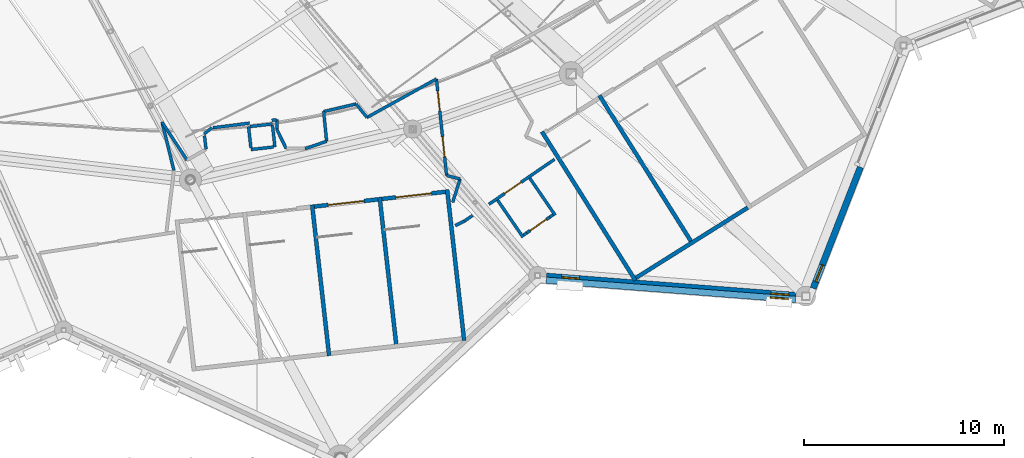
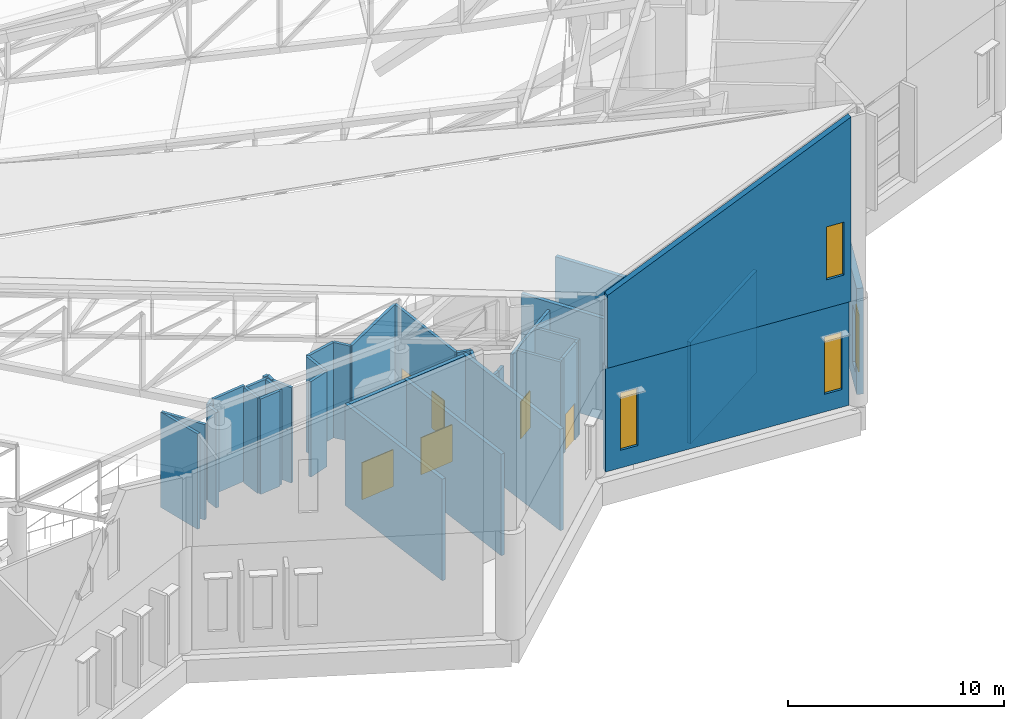
# One storey, part 254 of 344: 39 walls, 6 doors, 4 windows, 10 openings.
"""IFC4 building model written with IfcOpenShell, lengths in metres."""

from ifc_helpers import new_model, si_unit, direction, frame, frame_2d, origin, place, context, subcontext, project, spatial, polyline, rectangle, outline, extrude, material, layer, layer_set, type_object, element, fill, save


model = new_model("IFC4")

# Units and contexts
model_context = context("Model", 3, precision=1e-05, world=origin(), true_north=direction((0.0, 1.0)))
body_context = subcontext(model_context, "Body", "Model", "MODEL_VIEW")
ifc_project = project(units=[si_unit("LENGTHUNIT", "METRE"), si_unit("AREAUNIT", "SQUARE_METRE"), si_unit("VOLUMEUNIT", "CUBIC_METRE"), si_unit("PLANEANGLEUNIT", "RADIAN"), si_unit("MASSUNIT", "GRAM", prefix="KILO")], contexts=[model_context])

# Site, building, storey
site_placement = place(None, origin())
site = spatial("IfcSite", under=ifc_project, at=site_placement, CompositionType="ELEMENT")
building_placement = place(site_placement, origin())
building = spatial("IfcBuilding", under=site, at=building_placement, Name="Meseta Stadium", CompositionType="ELEMENT")
storey_placement = place(building_placement, frame((0.0, 0.0, 24.0)))
storey = spatial("IfcBuildingStorey", under=building, at=storey_placement, Name="L04", CompositionType="ELEMENT", Elevation=24.0)

# Walls
ifc_material_1 = material(Name="Concrete C40/50", Category="concrete")
ifc_layer_1 = layer(ifc_material_1, 0.199951171875)
ifc_layer_set_1 = layer_set([ifc_layer_1], Name="Core divider wall 200")
wall_type_1 = type_object("IfcWallType", Name="Core divider wall 200", PredefinedType="SHEAR", material=ifc_layer_set_1)
wall_1_placement = place(storey_placement, frame((54.999267578125, -99.503662109375, 0.0), z_axis=(0.0, 0.0, 1.0), x_axis=(-0.111982724367, 0.993710153638, 0.0)))
element("IfcWall", 1, at=wall_1_placement, inside=storey, type_object=wall_type_1, Name="Core 26 L04 stair B divider wall", PredefinedType="SHEAR", context=body_context, shape_type="SweptSolid", body=[
    extrude(rectangle(XDim=7.60009765625, YDim=0.199951171875, at=frame_2d((3.800048828125, 0.0))), origin(), (0.0, 0.0, 1.0), 5.75),
])
wall_2_placement = place(storey_placement, frame((69.8291015625, -94.314453125, 0.0), z_axis=(0.0, 0.0, 1.0), x_axis=(-0.532032334759, 0.846724036963, 0.0)))
element("IfcWall", 2, at=wall_2_placement, inside=storey, type_object=wall_type_1, Name="Core 27 L04 stair A divider wall", PredefinedType="SHEAR", context=body_context, shape_type="SweptSolid", body=[
    extrude(rectangle(XDim=8.800048828125, YDim=0.199951171875, at=frame_2d((4.39990234375, 0.0))), origin(), (0.0, 0.0, 1.0), 5.75),
])
ifc_material_2 = material(Name="Concrete C40/50", Category="concrete")
ifc_layer_2 = layer(ifc_material_2, 0.199951171875)
ifc_layer_set_2 = layer_set([ifc_layer_2], Name="Core shaft wall 200")
wall_type_2 = type_object("IfcWallType", Name="Core shaft wall 200", PredefinedType="SHEAR", material=ifc_layer_set_2)
wall_3_placement = place(storey_placement, frame((51.62060546875, -99.884521484375, 0.0), z_axis=(0.0, 0.0, 1.0), x_axis=(-0.111947429915, 0.993714130389, 0.0)))
element("IfcWall", 3, at=wall_3_placement, inside=storey, type_object=wall_type_2, Name="Core 26 L04 stair wall shared", PredefinedType="SHEAR", context=body_context, shape_type="SweptSolid", body=[
    extrude(rectangle(XDim=7.600341796875, YDim=0.199951171875, at=frame_2d((3.80029296875, 0.0))), origin(), (0.0, 0.0, 1.0), 5.75),
])
wall_4_placement = place(storey_placement, frame((58.3779296875, -99.123046875, 0.0), z_axis=(0.0, 0.0, 1.0), x_axis=(-0.111982724367, 0.993710153638, 0.0)))
element("IfcWall", 4, at=wall_4_placement, inside=storey, type_object=wall_type_2, Name="Core 26 L04 stair wall B-side", PredefinedType="SHEAR", context=body_context, shape_type="SweptSolid", body=[
    extrude(rectangle(XDim=7.60009765625, YDim=0.199951171875, at=frame_2d((3.800048828125, 0.0))), origin(), (0.0, 0.0, 1.0), 5.75),
])

# Wall, opening, door
wall_5_placement = place(storey_placement, frame((50.88037109375, -92.42041015625, 0.0), z_axis=(0.0, 0.0, 1.0), x_axis=(0.993707560215, 0.112005735442, 0.0)))
wall_5 = element("IfcWall", 5, at=wall_5_placement, inside=storey, type_object=wall_type_2, Name="Core 26 L04 stair B1 inner end wall", PredefinedType="SHEAR", context=body_context, shape_type="SweptSolid", body=[
    extrude(rectangle(XDim=3.19970703125, YDim=0.199951171875, at=frame_2d((1.599853515625, 0.0))), origin(), (0.0, 0.0, 1.0), 5.75),
])
opening_1_placement = place(wall_5_placement, frame((0.699951171875, 0.0, 0.0)))
opening_1 = element("IfcOpeningElement", 6, at=opening_1_placement, cuts=wall_5, Name="Opening D1610", PredefinedType="OPENING", context=body_context, shape_type="SweptSolid", body=[
    extrude(rectangle(XDim=1.800048828125, YDim=2.10009765625, at=frame_2d((0.89990234375, 1.050048828125))), frame((0.0, 0.10986328125, 0.0), z_axis=(0.0, -1.0, 0.0), x_axis=(1.0, 0.0, 0.0)), (0.0, 0.0, 1.0), 0.219970703125),
])
ifc_material_3 = material(Name="Steel", Category="steel")
door_type_1 = type_object("IfcDoorType", Name="Stair door 1800x2100", OperationType="DOUBLE_DOOR_SINGLE_SWING", PredefinedType="DOOR", material=ifc_material_3)
door_1_placement = place(opening_1_placement, origin())
door_1 = element("IfcDoor", 7, at=door_1_placement, inside=storey, type_object=door_type_1, Name="Stair B1 door 26 L04", OperationType="DOUBLE_DOOR_SINGLE_SWING", OverallHeight=2.10009765625, OverallWidth=1.800048828125, PredefinedType="DOOR", context=body_context, shape_type="SweptSolid", body=[
    extrude(rectangle(XDim=1.800048828125, YDim=2.10009765625, at=frame_2d((0.89990234375, 1.050048828125))), frame((0.0, 0.02490234375, 0.0), z_axis=(0.0, -1.0, 0.0), x_axis=(1.0, 0.0, 0.0)), (0.0, 0.0, 1.0), 0.050048828125),
])
fill(opening_1, door_1)

wall_6_placement = place(storey_placement, frame((54.2587890625, -92.03955078125, 0.0), z_axis=(0.0, 0.0, 1.0), x_axis=(0.993717005286, 0.11192190762, 0.0)))
wall_6 = element("IfcWall", 8, at=wall_6_placement, inside=storey, type_object=wall_type_2, Name="Core 26 L04 stair B2 inner end wall", PredefinedType="SHEAR", context=body_context, shape_type="SweptSolid", body=[
    extrude(rectangle(XDim=3.199951171875, YDim=0.199951171875, at=frame_2d((1.60009765625, 0.0))), origin(), (0.0, 0.0, 1.0), 5.75),
])
opening_2_placement = place(wall_6_placement, frame((0.699951171875, 0.0, 0.0)))
opening_2 = element("IfcOpeningElement", 9, at=opening_2_placement, cuts=wall_6, Name="Opening D1612", PredefinedType="OPENING", context=body_context, shape_type="SweptSolid", body=[
    extrude(rectangle(XDim=1.800048828125, YDim=2.10009765625, at=frame_2d((0.89990234375, 1.050048828125))), frame((0.0, 0.10986328125, 0.0), z_axis=(0.0, -1.0, 0.0), x_axis=(1.0, 0.0, 0.0)), (0.0, 0.0, 1.0), 0.219970703125),
])
door_2_placement = place(opening_2_placement, origin())
door_2 = element("IfcDoor", 10, at=door_2_placement, inside=storey, type_object=door_type_1, Name="Stair B2 door 26 L04", OperationType="DOUBLE_DOOR_SINGLE_SWING", OverallHeight=2.10009765625, OverallWidth=1.800048828125, PredefinedType="DOOR", context=body_context, shape_type="SweptSolid", body=[
    extrude(rectangle(XDim=1.800048828125, YDim=2.10009765625, at=frame_2d((0.89990234375, 1.050048828125))), frame((0.0, 0.02490234375, 0.0), z_axis=(0.0, -1.0, 0.0), x_axis=(1.0, 0.0, 0.0)), (0.0, 0.0, 1.0), 0.050048828125),
])
fill(opening_2, door_2)

# Walls
wall_7_placement = place(storey_placement, frame((66.9501953125, -96.123291015625, 0.0), z_axis=(0.0, 0.0, 1.0), x_axis=(-0.532032334759, 0.846724036963, 0.0)))
element("IfcWall", 11, at=wall_7_placement, inside=storey, type_object=wall_type_2, Name="Core 27 L04 stair wall A-side", PredefinedType="SHEAR", context=body_context, shape_type="SweptSolid", body=[
    extrude(rectangle(XDim=8.800048828125, YDim=0.199951171875, at=frame_2d((4.39990234375, 0.0))), origin(), (0.0, 0.0, 1.0), 5.75),
])
wall_8_placement = place(storey_placement, frame((66.981689453125, -95.985595703125, 0.0), z_axis=(0.0, 0.0, 1.0), x_axis=(0.846719870989, 0.532038964807, 0.0)))
element("IfcWall", 12, at=wall_8_placement, inside=storey, type_object=wall_type_2, Name="Core 27 L04 stair A outer end wall", PredefinedType="SHEAR", context=body_context, shape_type="SweptSolid", body=[
    extrude(rectangle(XDim=6.60009765625, YDim=0.199951171875, at=frame_2d((3.300048828125, 0.0))), origin(), (0.0, 0.0, 1.0), 5.75),
])
ifc_material_4 = material(Name="Masonry blockwork", Category="masonry")
ifc_layer_3 = layer(ifc_material_4, 0.14990234375)
ifc_layer_set_3 = layer_set([ifc_layer_3], Name="Partition 150")
wall_type_3 = type_object("IfcWallType", Name="Partition 150", PredefinedType="PARTITIONING", material=ifc_layer_set_3)
wall_9_placement = place(storey_placement, frame((57.931640625, -93.37646484375, 0.0), z_axis=(0.0, 0.0, 1.0), x_axis=(0.894331160602, 0.447405604767, 0.0)))
element("IfcWall", 13, at=wall_9_placement, inside=storey, type_object=wall_type_3, Name="Partition L04 L04-cell25-1-0", PredefinedType="PARTITIONING", context=body_context, shape_type="SweptSolid", body=[
    extrude(rectangle(XDim=0.508544921875, YDim=0.14990234375, at=frame_2d((0.25439453125, 0.0))), origin(), (0.0, 0.0, 1.0), 5.39990234375),
])
wall_10_placement = place(storey_placement, frame((58.386474609375, -93.14892578125, 0.0), z_axis=(0.0, 0.0, 1.0), x_axis=(0.825114578753, 0.564965425428, 0.0)))
element("IfcWall", 14, at=wall_10_placement, inside=storey, type_object=wall_type_3, Name="Partition L04 L04-cell25-1-0", PredefinedType="PARTITIONING", context=body_context, shape_type="SweptSolid", body=[
    extrude(rectangle(XDim=0.497314453125, YDim=0.14990234375, at=frame_2d((0.24853515625, 0.0))), origin(), (0.0, 0.0, 1.0), 5.39990234375),
])

# Wall, opening, door
wall_11_placement = place(storey_placement, frame((59.617919921875, -92.3056640625, 0.0), z_axis=(0.0, 0.0, 1.0), x_axis=(0.825155279728, 0.564905978316, 0.0)))
wall_11 = element("IfcWall", 15, at=wall_11_placement, inside=storey, type_object=wall_type_3, Name="Partition L04 L04-cell25-1-0", PredefinedType="PARTITIONING", context=body_context, shape_type="SweptSolid", body=[
    extrude(rectangle(XDim=3.98046875, YDim=0.14990234375, at=frame_2d((1.990234375, 0.0))), origin(), (0.0, 0.0, 1.0), 5.39990234375),
])
opening_3_placement = place(wall_11_placement, frame((0.949951171875, 0.0, 0.0)))
opening_3 = element("IfcOpeningElement", 16, at=opening_3_placement, cuts=wall_11, Name="Opening D1617", PredefinedType="OPENING", context=body_context, shape_type="SweptSolid", body=[
    extrude(rectangle(XDim=1.0, YDim=2.10009765625, at=frame_2d((0.5, 1.050048828125))), frame((0.0, 0.0849609375, 0.0), z_axis=(0.0, -1.0, 0.0), x_axis=(1.0, 0.0, 0.0)), (0.0, 0.0, 1.0), 0.169921875),
])
ifc_material_5 = material(Name="Steel", Category="steel")
door_type_2 = type_object("IfcDoorType", Name="Fire door 1000x2100 EI2 60", OperationType="NOTDEFINED", PredefinedType="DOOR", material=ifc_material_5)
door_3_placement = place(opening_3_placement, origin())
door_3 = element("IfcDoor", 17, at=door_3_placement, inside=storey, type_object=door_type_2, Name="Room door L04 L04-cell25-1-0", OperationType="SINGLE_SWING_LEFT", OverallHeight=2.10009765625, OverallWidth=1.0, PredefinedType="DOOR", context=body_context, shape_type="SweptSolid", body=[
    extrude(rectangle(XDim=1.0, YDim=2.10009765625, at=frame_2d((0.5, 1.050048828125))), frame((0.0, 0.02490234375, 0.0), z_axis=(0.0, -1.0, 0.0), x_axis=(1.0, 0.0, 0.0)), (0.0, 0.0, 1.0), 0.050048828125),
])
fill(opening_3, door_3)

# Walls
wall_12_placement = place(storey_placement, frame((47.7158203125, -89.566650390625, 0.0), z_axis=(0.0, 0.0, 1.0), x_axis=(0.993710504932, 0.11197960702, 0.0)))
element("IfcWall", 18, at=wall_12_placement, inside=storey, type_object=wall_type_3, Name="Pressurisation shaft wall L04 core 26", PredefinedType="PARTITIONING", context=body_context, shape_type="SweptSolid", body=[
    extrude(rectangle(XDim=1.125, YDim=0.14990234375, at=frame_2d((0.5625, 0.0))), origin(), (0.0, 0.0, 1.0), 5.39990234375),
])
wall_13_placement = place(storey_placement, frame((48.908203125, -89.432373046875, 0.0), z_axis=(0.0, 0.0, 1.0), x_axis=(-0.111951742856, 0.993713644503, 0.0)))
element("IfcWall", 19, at=wall_13_placement, inside=storey, type_object=wall_type_3, Name="Pressurisation shaft wall L04 core 26", PredefinedType="PARTITIONING", context=body_context, shape_type="SweptSolid", body=[
    extrude(rectangle(XDim=1.0751953125, YDim=0.14990234375, at=frame_2d((0.53759765625, 0.0))), origin(), (0.0, 0.0, 1.0), 5.39990234375),
])
wall_14_placement = place(storey_placement, frame((48.779541015625, -88.28955078125, 0.0), z_axis=(0.0, 0.0, 1.0), x_axis=(-0.993710504932, -0.11197960702, 0.0)))
element("IfcWall", 20, at=wall_14_placement, inside=storey, type_object=wall_type_3, Name="Pressurisation shaft wall L04 core 26", PredefinedType="PARTITIONING", context=body_context, shape_type="SweptSolid", body=[
    extrude(rectangle(XDim=1.125, YDim=0.14990234375, at=frame_2d((0.5625, 0.0))), origin(), (0.0, 0.0, 1.0), 5.39990234375),
])
wall_15_placement = place(storey_placement, frame((47.587158203125, -88.423828125, 0.0), z_axis=(0.0, 0.0, 1.0), x_axis=(0.111951742856, -0.993713644503, 0.0)))
element("IfcWall", 21, at=wall_15_placement, inside=storey, type_object=wall_type_3, Name="Pressurisation shaft wall L04 core 26", PredefinedType="PARTITIONING", context=body_context, shape_type="SweptSolid", body=[
    extrude(rectangle(XDim=1.0751953125, YDim=0.14990234375, at=frame_2d((0.53759765625, 0.0))), origin(), (0.0, 0.0, 1.0), 5.39990234375),
])
wall_16_placement = place(storey_placement, frame((57.802490234375, -92.21142578125, 0.0), z_axis=(0.0, 0.0, 1.0), x_axis=(0.302842740961, 0.953040541765, 0.0)))
element("IfcWall", 22, at=wall_16_placement, inside=storey, type_object=wall_type_3, Name="Stair vestibule wall L04 core 26", PredefinedType="PARTITIONING", context=body_context, shape_type="SweptSolid", body=[
    extrude(rectangle(XDim=1.228515625, YDim=0.14990234375, at=frame_2d((0.6142578125, 0.0))), origin(), (0.0, 0.0, 1.0), 5.39990234375),
])
wall_17_placement = place(storey_placement, frame((58.174560546875, -91.04052734375, 0.0), z_axis=(0.0, 0.0, 1.0), x_axis=(-0.968348224701, 0.249603116403, 0.0)))
element("IfcWall", 23, at=wall_17_placement, inside=storey, type_object=wall_type_3, Name="Stair vestibule wall L04 core 26", PredefinedType="PARTITIONING", context=body_context, shape_type="SweptSolid", body=[
    extrude(rectangle(XDim=0.698486328125, YDim=0.14990234375, at=frame_2d((0.34912109375, 0.0))), origin(), (0.0, 0.0, 1.0), 5.39990234375),
])

# Wall, openings, doors
wall_18_placement = place(storey_placement, frame((57.498291015625, -90.8662109375, 0.0), z_axis=(0.0, 0.0, 1.0), x_axis=(-0.104240004213, 0.994552171342, 0.0)))
wall_18 = element("IfcWall", 24, at=wall_18_placement, inside=storey, type_object=wall_type_3, Name="Stair vestibule wall L04 core 26", PredefinedType="PARTITIONING", context=body_context, shape_type="SweptSolid", body=[
    extrude(rectangle(XDim=4.857421875, YDim=0.14990234375, at=frame_2d((2.4287109375, 0.0))), origin(), (0.0, 0.0, 1.0), 5.39990234375),
])
opening_4_placement = place(wall_18_placement, frame((0.949951171875, 0.0, 0.0)))
opening_4 = element("IfcOpeningElement", 25, at=opening_4_placement, cuts=wall_18, Name="Opening D1614", PredefinedType="OPENING", context=body_context, shape_type="SweptSolid", body=[
    extrude(rectangle(XDim=1.0, YDim=2.10009765625, at=frame_2d((0.5, 1.050048828125))), frame((0.0, 0.0849609375, 0.0), z_axis=(0.0, -1.0, 0.0), x_axis=(1.0, 0.0, 0.0)), (0.0, 0.0, 1.0), 0.169921875),
])
opening_5_placement = place(wall_18_placement, frame((3.25, 0.0, 0.0)))
opening_5 = element("IfcOpeningElement", 26, at=opening_5_placement, cuts=wall_18, Name="Opening D1613", PredefinedType="OPENING", context=body_context, shape_type="SweptSolid", body=[
    extrude(rectangle(XDim=1.0, YDim=2.10009765625, at=frame_2d((0.5, 1.050048828125))), frame((0.0, 0.0849609375, 0.0), z_axis=(0.0, -1.0, 0.0), x_axis=(1.0, 0.0, 0.0)), (0.0, 0.0, 1.0), 0.169921875),
])
door_4_placement = place(opening_4_placement, origin())
door_4 = element("IfcDoor", 27, at=door_4_placement, inside=storey, type_object=door_type_2, Name="Stair vestibule door L04 core 26", OperationType="SINGLE_SWING_LEFT", OverallHeight=2.10009765625, OverallWidth=1.0, PredefinedType="DOOR", context=body_context, shape_type="SweptSolid", body=[
    extrude(rectangle(XDim=1.0, YDim=2.10009765625, at=frame_2d((0.5, 1.050048828125))), frame((0.0, 0.02490234375, 0.0), z_axis=(0.0, -1.0, 0.0), x_axis=(1.0, 0.0, 0.0)), (0.0, 0.0, 1.0), 0.050048828125),
])
fill(opening_4, door_4)
door_5_placement = place(opening_5_placement, origin())
door_5 = element("IfcDoor", 28, at=door_5_placement, inside=storey, type_object=door_type_2, Name="Stair vestibule door L04 core 26", OperationType="SINGLE_SWING_RIGHT", OverallHeight=2.10009765625, OverallWidth=1.0, PredefinedType="DOOR", context=body_context, shape_type="SweptSolid", body=[
    extrude(rectangle(XDim=1.0, YDim=2.10009765625, at=frame_2d((0.5, 1.050048828125))), frame((0.0, 0.02490234375, 0.0), z_axis=(0.0, -1.0, 0.0), x_axis=(1.0, 0.0, 0.0)), (0.0, 0.0, 1.0), 0.050048828125),
])
fill(opening_5, door_5)

# Walls
wall_19_placement = place(storey_placement, frame((56.991943359375, -86.03515625, 0.0), z_axis=(0.0, 0.0, 1.0), x_axis=(-0.8746956198, -0.484672644888, 0.0)))
element("IfcWall", 29, at=wall_19_placement, inside=storey, type_object=wall_type_3, Name="Stair vestibule wall L04 core 26", PredefinedType="PARTITIONING", context=body_context, shape_type="SweptSolid", body=[
    extrude(rectangle(XDim=3.974853515625, YDim=0.14990234375, at=frame_2d((1.9873046875, 0.0))), origin(), (0.0, 0.0, 1.0), 5.39990234375),
])
wall_20_placement = place(storey_placement, frame((53.51513671875, -87.961669921875, 0.0), z_axis=(0.0, 0.0, 1.0), x_axis=(-0.629036575288, 0.777375705145, 0.0)))
element("IfcWall", 30, at=wall_20_placement, inside=storey, type_object=wall_type_3, Name="Stair vestibule wall L04 core 26", PredefinedType="PARTITIONING", context=body_context, shape_type="SweptSolid", body=[
    extrude(rectangle(XDim=0.868896484375, YDim=0.14990234375, at=frame_2d((0.4345703125, 0.0))), origin(), (0.0, 0.0, 1.0), 5.39990234375),
])
wall_21_placement = place(storey_placement, frame((52.968505859375, -87.2861328125, 0.0), z_axis=(0.0, 0.0, 1.0), x_axis=(-0.973804405669, -0.227387289663, 0.0)))
element("IfcWall", 31, at=wall_21_placement, inside=storey, type_object=wall_type_3, Name="Stair vestibule wall L04 core 26", PredefinedType="PARTITIONING", context=body_context, shape_type="SweptSolid", body=[
    extrude(rectangle(XDim=1.664306640625, YDim=0.14990234375, at=frame_2d((0.83203125, 0.0))), origin(), (0.0, 0.0, 1.0), 5.39990234375),
])
wall_22_placement = place(storey_placement, frame((51.347900390625, -87.66455078125, 0.0), z_axis=(0.0, 0.0, 1.0), x_axis=(0.097663252184, -0.995219518083, 0.0)))
element("IfcWall", 32, at=wall_22_placement, inside=storey, type_object=wall_type_3, Name="Stair vestibule wall L04 core 26", PredefinedType="PARTITIONING", context=body_context, shape_type="SweptSolid", body=[
    extrude(rectangle(XDim=1.497314453125, YDim=0.14990234375, at=frame_2d((0.74853515625, 0.0))), origin(), (0.0, 0.0, 1.0), 5.39990234375),
])
wall_23_placement = place(storey_placement, frame((51.494140625, -89.15478515625, 0.0), z_axis=(0.0, 0.0, 1.0), x_axis=(-0.945382073176, -0.325964316633, 0.0)))
element("IfcWall", 33, at=wall_23_placement, inside=storey, type_object=wall_type_3, Name="Stair vestibule wall L04 core 26", PredefinedType="PARTITIONING", context=body_context, shape_type="SweptSolid", body=[
    extrude(rectangle(XDim=1.141357421875, YDim=0.14990234375, at=frame_2d((0.57080078125, 0.0))), origin(), (0.0, 0.0, 1.0), 5.39990234375),
])
wall_24_placement = place(storey_placement, frame((49.476806640625, -89.526611328125, 0.0), z_axis=(0.0, 0.0, 1.0), x_axis=(-0.439871081555, 0.898060928674, 0.0)))
element("IfcWall", 34, at=wall_24_placement, inside=storey, type_object=wall_type_3, Name="Stair vestibule wall L04 core 26", PredefinedType="PARTITIONING", context=body_context, shape_type="SweptSolid", body=[
    extrude(rectangle(XDim=1.106201171875, YDim=0.14990234375, at=frame_2d((0.55322265625, 0.0))), origin(), (0.0, 0.0, 1.0), 5.39990234375),
])
wall_25_placement = place(storey_placement, frame((49.004150390625, -88.540283203125, 0.0), z_axis=(0.0, 0.0, 1.0), x_axis=(0.0, 1.0, 0.0)))
element("IfcWall", 35, at=wall_25_placement, inside=storey, type_object=wall_type_3, Name="Stair vestibule wall L04 core 26", PredefinedType="PARTITIONING", context=body_context, shape_type="SweptSolid", body=[
    extrude(rectangle(XDim=0.466064453125, YDim=0.14990234375, at=frame_2d((0.23291015625, 0.0))), origin(), (0.0, 0.0, 1.0), 5.39990234375),
])
wall_26_placement = place(storey_placement, frame((49.004150390625, -88.07421875, 0.0), z_axis=(0.0, 0.0, 1.0), x_axis=(-0.99214406092, -0.125100609039, 0.0)))
element("IfcWall", 36, at=wall_26_placement, inside=storey, type_object=wall_type_3, Name="Stair vestibule wall L04 core 26", PredefinedType="PARTITIONING", context=body_context, shape_type="SweptSolid", body=[
    extrude(rectangle(XDim=0.253662109375, YDim=0.14990234375, at=frame_2d((0.126953125, 0.0))), origin(), (0.0, 0.0, 1.0), 5.39990234375),
])
wall_27_placement = place(storey_placement, frame((47.635986328125, -88.245849609375, 0.0), z_axis=(0.0, 0.0, 1.0), x_axis=(-0.99202979466, -0.126003517834, 0.0)))
element("IfcWall", 37, at=wall_27_placement, inside=storey, type_object=wall_type_3, Name="Stair vestibule wall L04 core 26", PredefinedType="PARTITIONING", context=body_context, shape_type="SweptSolid", body=[
    extrude(rectangle(XDim=1.846435546875, YDim=0.14990234375, at=frame_2d((0.92333984375, 0.0))), origin(), (0.0, 0.0, 1.0), 5.39990234375),
])
wall_28_placement = place(storey_placement, frame((45.384521484375, -88.874755859375, 0.0), z_axis=(0.0, 0.0, 1.0), x_axis=(0.111967534122, -0.993711865333, 0.0)))
element("IfcWall", 38, at=wall_28_placement, inside=storey, type_object=wall_type_3, Name="Stair vestibule wall L04 core 26", PredefinedType="PARTITIONING", context=body_context, shape_type="SweptSolid", body=[
    extrude(rectangle(XDim=0.680419921875, YDim=0.14990234375, at=frame_2d((0.34033203125, 0.0))), origin(), (0.0, 0.0, 1.0), 5.39990234375),
])
wall_29_placement = place(storey_placement, frame((44.51171875, -90.099365234375, 0.0), z_axis=(0.0, 0.0, 1.0), x_axis=(-0.549992392725, 0.835169664167, 0.0)))
element("IfcWall", 39, at=wall_29_placement, inside=storey, type_object=wall_type_3, Name="Stair vestibule wall L04 core 26", PredefinedType="PARTITIONING", context=body_context, shape_type="SweptSolid", body=[
    extrude(rectangle(XDim=2.278076171875, YDim=0.14990234375, at=frame_2d((1.13916015625, 0.0))), origin(), (0.0, 0.0, 1.0), 5.39990234375),
])
wall_30_placement = place(storey_placement, frame((43.2587890625, -88.19677734375, 0.0), z_axis=(0.0, 0.0, 1.0), x_axis=(0.239250025928, -0.970957993475, 0.0)))
element("IfcWall", 40, at=wall_30_placement, inside=storey, type_object=wall_type_3, Name="Stair vestibule wall L04 core 26", PredefinedType="PARTITIONING", context=body_context, shape_type="SweptSolid", body=[
    extrude(rectangle(XDim=2.483642578125, YDim=0.14990234375, at=frame_2d((1.24169921875, 0.0))), origin(), (0.0, 0.0, 1.0), 5.39990234375),
])
wall_31_placement = place(storey_placement, frame((45.7548828125, -88.469482421875, 0.0), z_axis=(0.0, 0.0, 1.0), x_axis=(-0.770164413402, -0.637845417267, 0.0)))
element("IfcWall", 41, at=wall_31_placement, inside=storey, type_object=wall_type_3, Name="Stair vestibule wall L04 core 26", PredefinedType="PARTITIONING", context=body_context, shape_type="SweptSolid", body=[
    extrude(rectangle(XDim=0.503662109375, YDim=0.14990234375, at=frame_2d((0.251953125, 0.0))), origin(), (0.0, 0.0, 1.0), 5.39990234375),
])
wall_32_placement = place(storey_placement, frame((60.05224609375, -92.09912109375, 0.0), z_axis=(0.0, 0.0, 1.0), x_axis=(0.564948375726, -0.825126252621, 0.0)))
element("IfcWall", 42, at=wall_32_placement, inside=storey, type_object=wall_type_3, Name="Partition L04 L04-cell25-1-0 vestibule", PredefinedType="PARTITIONING", context=body_context, shape_type="SweptSolid", body=[
    extrude(rectangle(XDim=2.250244140625, YDim=0.14990234375, at=frame_2d((1.125, 0.0))), origin(), (0.0, 0.0, 1.0), 5.39990234375),
])
wall_33_placement = place(storey_placement, frame((61.661376953125, -90.997802734375, 0.0), z_axis=(0.0, 0.0, 1.0), x_axis=(0.56492507971, -0.825142202481, 0.0)))
element("IfcWall", 43, at=wall_33_placement, inside=storey, type_object=wall_type_3, Name="Partition L04 L04-cell25-1-0 vestibule", PredefinedType="PARTITIONING", context=body_context, shape_type="SweptSolid", body=[
    extrude(rectangle(XDim=2.249755859375, YDim=0.14990234375, at=frame_2d((1.125, 0.0))), origin(), (0.0, 0.0, 1.0), 5.39990234375),
])
wall_34_placement = place(storey_placement, frame((61.343017578125, -93.8515625, 0.0), z_axis=(0.0, 0.0, 1.0), x_axis=(0.824647441865, 0.565647060123, 0.0)))
element("IfcWall", 44, at=wall_34_placement, inside=storey, type_object=wall_type_3, Name="Partition L04 L04-cell25-1-0 vestibule", PredefinedType="PARTITIONING", context=body_context, shape_type="SweptSolid", body=[
    extrude(rectangle(XDim=0.199951171875, YDim=0.14990234375, at=frame_2d((0.10009765625, 0.0))), origin(), (0.0, 0.0, 1.0), 5.39990234375),
])

# Wall, opening, door
wall_35_placement = place(storey_placement, frame((61.5078125, -93.738525390625, 0.0), z_axis=(0.0, 0.0, 1.0), x_axis=(0.825200310894, 0.564840195897, 0.0)))
wall_35 = element("IfcWall", 45, at=wall_35_placement, inside=storey, type_object=wall_type_3, Name="Partition L04 L04-cell25-1-0 vestibule", PredefinedType="PARTITIONING", context=body_context, shape_type="SweptSolid", body=[
    extrude(rectangle(XDim=1.39990234375, YDim=0.14990234375, at=frame_2d((0.699951171875, 0.0))), origin(), (0.0, 0.0, 1.0), 5.39990234375),
])
opening_6_placement = place(wall_35_placement, frame((0.199951171875, 0.0, 0.0)))
opening_6 = element("IfcOpeningElement", 46, at=opening_6_placement, cuts=wall_35, Name="Opening D1619", PredefinedType="OPENING", context=body_context, shape_type="SweptSolid", body=[
    extrude(rectangle(XDim=1.0, YDim=2.10009765625, at=frame_2d((0.5, 1.050048828125))), frame((0.0, 0.0849609375, 0.0), z_axis=(0.0, -1.0, 0.0), x_axis=(1.0, 0.0, 0.0)), (0.0, 0.0, 1.0), 0.169921875),
])
door_6_placement = place(opening_6_placement, origin())
door_6 = element("IfcDoor", 47, at=door_6_placement, inside=storey, type_object=door_type_2, Name="Vestibule door L04 L04-cell25-1-0", OperationType="SINGLE_SWING_RIGHT", OverallHeight=2.10009765625, OverallWidth=1.0, PredefinedType="DOOR", context=body_context, shape_type="SweptSolid", body=[
    extrude(rectangle(XDim=1.0, YDim=2.10009765625, at=frame_2d((0.5, 1.050048828125))), frame((0.0, 0.02490234375, 0.0), z_axis=(0.0, -1.0, 0.0), x_axis=(1.0, 0.0, 0.0)), (0.0, 0.0, 1.0), 0.050048828125),
])
fill(opening_6, door_6)

# Wall
wall_36_placement = place(storey_placement, frame((62.6630859375, -92.94775390625, 0.0), z_axis=(0.0, 0.0, 1.0), x_axis=(0.825037742793, 0.565077625611, 0.0)))
element("IfcWall", 48, at=wall_36_placement, inside=storey, type_object=wall_type_3, Name="Partition L04 L04-cell25-1-0 vestibule", PredefinedType="PARTITIONING", context=body_context, shape_type="SweptSolid", body=[
    extrude(rectangle(XDim=0.199951171875, YDim=0.14990234375, at=frame_2d((0.10009765625, 0.0))), origin(), (0.0, 0.0, 1.0), 5.39990234375),
])

# Wall, opening, window
ifc_material_6 = material(Name="White precast concrete C40/50", Category="concrete")
ifc_layer_4 = layer(ifc_material_6, 0.320068359375)
ifc_layer_set_4 = layer_set([ifc_layer_4], Name="Pleated fascia panel 320 raked")
wall_type_4 = type_object("IfcWallType", Name="Pleated fascia panel 320 raked", PredefinedType="SOLIDWALL", material=ifc_layer_set_4)
wall_37_placement = place(storey_placement, frame((74.961181640625, -97.069580078125, 6.0), z_axis=(0.0, 0.0, 1.0), x_axis=(-0.997035289114, 0.076945644854, 0.0)))
wall_37 = element("IfcWall", 49, at=wall_37_placement, inside=storey, type_object=wall_type_4, Name="Pleated fascia panel L04 F51", PredefinedType="SOLIDWALL", context=body_context, shape_type="SweptSolid", body=[
    extrude(outline(polyline([(0.0, 0.0), (12.513916015625, 0.0), (12.513671875, 4.1171875), (0.0, 10.437744140625), (0.0, 0.0)])), frame((0.0, 0.16015625, 0.0), z_axis=(0.0, -1.0, 0.0), x_axis=(1.0, 0.0, 0.0)), (0.0, 0.0, 1.0), 0.320068359375),
])
opening_7_placement = place(wall_37_placement, frame((0.36328125, 0.0, 1.60009765625)))
opening_7 = element("IfcOpeningElement", 50, at=opening_7_placement, cuts=wall_37, Name="Opening W287", PredefinedType="OPENING", context=body_context, shape_type="SweptSolid", body=[
    extrude(rectangle(XDim=0.89990234375, YDim=3.0, at=frame_2d((0.449951171875, 1.5))), frame((0.0, 0.169921875, 0.0), z_axis=(0.0, -1.0, 0.0), x_axis=(1.0, 0.0, 0.0)), (0.0, 0.0, 1.0), 0.340087890625),
])
ifc_material_7 = material(Name="Aluminium", Category="aluminium")
window_type_1 = type_object("IfcWindowType", Name="Slot window 900x3000", PartitioningType="SINGLE_PANEL", PredefinedType="WINDOW", material=ifc_material_7)
window_1_placement = place(opening_7_placement, origin())
window_1 = element("IfcWindow", 51, at=window_1_placement, inside=storey, type_object=window_type_1, Name="Slot window L04 F51.6", OverallHeight=3.0, OverallWidth=0.89990234375, PartitioningType="SINGLE_PANEL", PredefinedType="WINDOW", context=body_context, shape_type="SweptSolid", body=[
    extrude(rectangle(XDim=0.89990234375, YDim=3.0, at=frame_2d((0.449951171875, 1.5))), frame((0.0, 0.030029296875, 0.0), z_axis=(0.0, -1.0, 0.0), x_axis=(1.0, 0.0, 0.0)), (0.0, 0.0, 1.0), 0.06005859375),
])
fill(opening_7, window_1)

# Wall, openings, windows
ifc_material_8 = material(Name="White precast concrete C40/50", Category="concrete")
ifc_layer_5 = layer(ifc_material_8, 0.320068359375)
ifc_layer_set_5 = layer_set([ifc_layer_5], Name="Pleated panel wall 320")
wall_type_5 = type_object("IfcWallType", Name="Pleated panel wall 320", PredefinedType="SOLIDWALL", material=ifc_layer_set_5)
wall_38_placement = place(storey_placement, frame((74.9765625, -96.8701171875, 0.0), z_axis=(0.0, 0.0, 1.0), x_axis=(-0.997035289114, 0.076945644854, 0.0)))
wall_38 = element("IfcWall", 52, at=wall_38_placement, inside=storey, type_object=wall_type_5, Name="Pleated facade panel L04 F51", PredefinedType="SOLIDWALL", context=body_context, shape_type="SweptSolid", body=[
    extrude(rectangle(XDim=12.513916015625, YDim=0.320068359375, at=frame_2d((6.2568359375, 0.0))), origin(), (0.0, 0.0, 1.0), 6.0),
])
opening_8_placement = place(wall_38_placement, frame((10.86328125, 0.0, 1.0)))
opening_8 = element("IfcOpeningElement", 53, at=opening_8_placement, cuts=wall_38, Name="Opening W284", PredefinedType="OPENING", context=body_context, shape_type="SweptSolid", body=[
    extrude(rectangle(XDim=0.89990234375, YDim=3.25, at=frame_2d((0.449951171875, 1.625))), frame((0.0, 0.169921875, 0.0), z_axis=(0.0, -1.0, 0.0), x_axis=(1.0, 0.0, 0.0)), (0.0, 0.0, 1.0), 0.340087890625),
])
opening_9_placement = place(wall_38_placement, frame((0.36328125, 0.0, 1.0)))
opening_9 = element("IfcOpeningElement", 54, at=opening_9_placement, cuts=wall_38, Name="Opening W288", PredefinedType="OPENING", context=body_context, shape_type="SweptSolid", body=[
    extrude(rectangle(XDim=0.89990234375, YDim=3.25, at=frame_2d((0.449951171875, 1.625))), frame((0.0, 0.169921875, 0.0), z_axis=(0.0, -1.0, 0.0), x_axis=(1.0, 0.0, 0.0)), (0.0, 0.0, 1.0), 0.340087890625),
])
ifc_material_9 = material(Name="Aluminium", Category="aluminium")
window_type_2 = type_object("IfcWindowType", Name="Slot window 900x3250", PartitioningType="SINGLE_PANEL", PredefinedType="WINDOW", material=ifc_material_9)
window_2_placement = place(opening_8_placement, origin())
window_2 = element("IfcWindow", 55, at=window_2_placement, inside=storey, type_object=window_type_2, Name="Slot window L04 F51.1", OverallHeight=3.25, OverallWidth=0.89990234375, PartitioningType="SINGLE_PANEL", PredefinedType="WINDOW", context=body_context, shape_type="SweptSolid", body=[
    extrude(rectangle(XDim=0.89990234375, YDim=3.25, at=frame_2d((0.449951171875, 1.625))), frame((0.0, 0.030029296875, 0.0), z_axis=(0.0, -1.0, 0.0), x_axis=(1.0, 0.0, 0.0)), (0.0, 0.0, 1.0), 0.06005859375),
])
fill(opening_8, window_2)
window_3_placement = place(opening_9_placement, origin())
window_3 = element("IfcWindow", 56, at=window_3_placement, inside=storey, type_object=window_type_2, Name="Slot window L04 F51.6", OverallHeight=3.25, OverallWidth=0.89990234375, PartitioningType="SINGLE_PANEL", PredefinedType="WINDOW", context=body_context, shape_type="SweptSolid", body=[
    extrude(rectangle(XDim=0.89990234375, YDim=3.25, at=frame_2d((0.449951171875, 1.625))), frame((0.0, 0.030029296875, 0.0), z_axis=(0.0, -1.0, 0.0), x_axis=(1.0, 0.0, 0.0)), (0.0, 0.0, 1.0), 0.06005859375),
])
fill(opening_9, window_3)

# Wall, opening, window
wall_39_placement = place(storey_placement, frame((78.208740234375, -90.447021484375, 0.0), z_axis=(0.0, 0.0, 1.0), x_axis=(-0.363305260642, -0.931670160298, 0.0)))
wall_39 = element("IfcWall", 57, at=wall_39_placement, inside=storey, type_object=wall_type_5, Name="Pleated facade panel L04 F52", PredefinedType="SOLIDWALL", context=body_context, shape_type="SweptSolid", body=[
    extrude(rectangle(XDim=6.513671875, YDim=0.320068359375, at=frame_2d((3.2568359375, 0.0))), origin(), (0.0, 0.0, 1.0), 6.0),
])
opening_10_placement = place(wall_39_placement, frame((5.250244140625, 0.0, 1.0)))
opening_10 = element("IfcOpeningElement", 58, at=opening_10_placement, cuts=wall_39, Name="Opening W289", PredefinedType="OPENING", context=body_context, shape_type="SweptSolid", body=[
    extrude(rectangle(XDim=0.89990234375, YDim=3.25, at=frame_2d((0.449951171875, 1.625))), frame((0.0, 0.169921875, 0.0), z_axis=(0.0, -1.0, 0.0), x_axis=(1.0, 0.0, 0.0)), (0.0, 0.0, 1.0), 0.340087890625),
])
window_4_placement = place(opening_10_placement, origin())
window_4 = element("IfcWindow", 59, at=window_4_placement, inside=storey, type_object=window_type_2, Name="Slot window L04 F52.6", OverallHeight=3.25, OverallWidth=0.89990234375, PartitioningType="SINGLE_PANEL", PredefinedType="WINDOW", context=body_context, shape_type="SweptSolid", body=[
    extrude(rectangle(XDim=0.89990234375, YDim=3.25, at=frame_2d((0.449951171875, 1.625))), frame((0.0, 0.030029296875, 0.0), z_axis=(0.0, -1.0, 0.0), x_axis=(1.0, 0.0, 0.0)), (0.0, 0.0, 1.0), 0.06005859375),
])
fill(opening_10, window_4)

save(model, "model.ifc")
